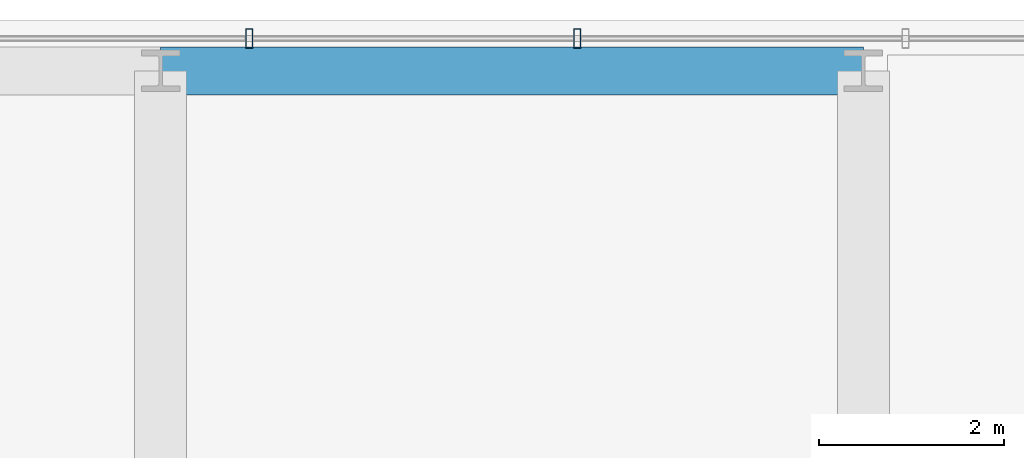
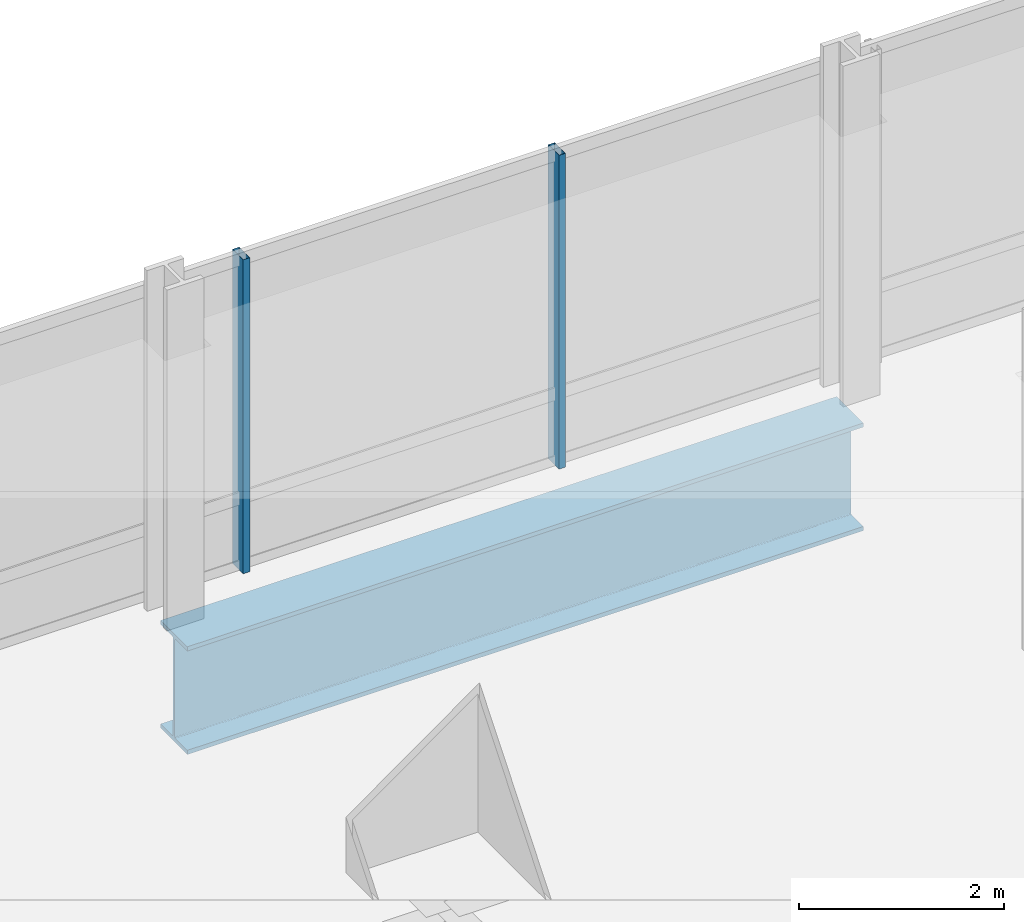
# One storey, part 22 of 33: 2 members, 1 beam, 1 element without a shape of its own.
"""IFC4 building model written with IfcOpenShell, lengths in metres."""

from ifc_helpers import new_model, si_unit, direction, frame, origin, origin_2d, place, context, subcontext, project, spatial, hollow_rectangle, i_section, extrude, material, material_profile, profile_set, type_object, element, aggregate, save


model = new_model("IFC4")

# Units and contexts
model_context = context("Model", 3, precision=1e-05, world=origin(), true_north=direction((0.0, 1.0)))
body_context = subcontext(model_context, "Body", "Model", "MODEL_VIEW")
ifc_project = project(units=[si_unit("LENGTHUNIT", "METRE"), si_unit("AREAUNIT", "SQUARE_METRE"), si_unit("VOLUMEUNIT", "CUBIC_METRE"), si_unit("PLANEANGLEUNIT", "RADIAN"), si_unit("MASSUNIT", "GRAM", prefix="KILO")], contexts=[model_context])

# Site, building, storey
site_placement = place(None, origin())
site = spatial("IfcSite", under=ifc_project, at=site_placement, CompositionType="ELEMENT")
building_placement = place(site_placement, origin())
building = spatial("IfcBuilding", under=site, at=building_placement, Name="Punatoya Terracotta Tower", CompositionType="ELEMENT")
storey_placement = place(building_placement, frame((0.0, 0.0, 121.35009765625)))
storey = spatial("IfcBuildingStorey", under=building, at=storey_placement, Name="L28", CompositionType="ELEMENT", Elevation=121.35009765625)

# Beam
ifc_material_1 = material(Name="Steel S460", Category="steel")
ifc_material_profile_1 = material_profile(ifc_material_1, i_section(OverallWidth=0.52001953125, OverallDepth=1.280029296875, WebThickness=0.031982421875, FlangeThickness=0.050048828125, FilletRadius=0.01806640625, at=origin_2d()))
ifc_profile_set_1 = profile_set([ifc_material_profile_1], Name="Steel S460")
beam_type = type_object("IfcBeamType", Name="BM-TG-NCK", PredefinedType="BEAM", material=ifc_profile_set_1)
beam_placement = place(storey_placement, frame((-3.800048828125, 22.89990234375, -0.880126953125), z_axis=(1.0, 0.0, 0.0), x_axis=(0.0, 1.0, 0.0)))
element("IfcBeam", 1, at=beam_placement, inside=storey, type_object=beam_type, Name="BM-L28-PER-N2", PredefinedType="BEAM", context=body_context, shape_type="SweptSolid", body=[
    extrude(i_section(OverallWidth=0.52001953125, OverallDepth=1.280029296875, WebThickness=0.031982421875, FlangeThickness=0.050048828125, FilletRadius=0.01806640625, at=origin_2d()), origin(), (0.0, 0.0, 1.0), 7.60009765625),
])

# Curtain wall, members
ifc_material_2 = material(Name="Aluminium 6063-T6 + Double Low-E Glass", Category="aluminium")
curtain_wall_type = type_object("IfcCurtainWallType", Name="CW-M1", PredefinedType="NOTDEFINED", material=ifc_material_2)
curtain_wall_placement = place(storey_placement, origin())
curtain_wall = element("IfcCurtainWall", 2, at=curtain_wall_placement, inside=storey, type_object=curtain_wall_type, Name="L28 Curtain Wall CW-L28-N08-1", PredefinedType="NOTDEFINED")
ifc_material_3 = material(Name="Aluminium 6063-T6", Category="aluminium")
ifc_material_profile_2 = material_profile(ifc_material_3, hollow_rectangle(XDim=0.074951171875, YDim=0.2099609375, WallThickness=0.00439453125, at=origin_2d()))
ifc_profile_set_2 = profile_set([ifc_material_profile_2], Name="Aluminium 6063-T6")
member_type = type_object("IfcMemberType", Name="CW-MUL-M1", PredefinedType="MULLION", material=ifc_profile_set_2)
member_1_placement = place(storey_placement, frame((0.70654296875, 23.25, 0.0), z_axis=(0.0, 0.0, 1.0), x_axis=(1.0, 0.0, 0.0)))
member_1 = element("IfcMember", 3, at=member_1_placement, type_object=member_type, Name="CW-L28-N08-1 Mullion 05", PredefinedType="MULLION", context=body_context, shape_type="SweptSolid", body=[
    extrude(hollow_rectangle(XDim=0.074951171875, YDim=0.2099609375, WallThickness=0.00439453125, at=origin_2d()), origin(), (0.0, 0.0, 1.0), 3.72998046875),
])
member_2_placement = place(storey_placement, frame((-2.842041015625, 23.25, 0.0), z_axis=(0.0, 0.0, 1.0), x_axis=(1.0, 0.0, 0.0)))
member_2 = element("IfcMember", 4, at=member_2_placement, type_object=member_type, Name="CW-L28-N08-1 Mullion 06", PredefinedType="MULLION", context=body_context, shape_type="SweptSolid", body=[
    extrude(hollow_rectangle(XDim=0.074951171875, YDim=0.2099609375, WallThickness=0.00439453125, at=origin_2d()), origin(), (0.0, 0.0, 1.0), 3.72998046875),
])
aggregate(curtain_wall, [member_1, member_2])

save(model, "model.ifc")
